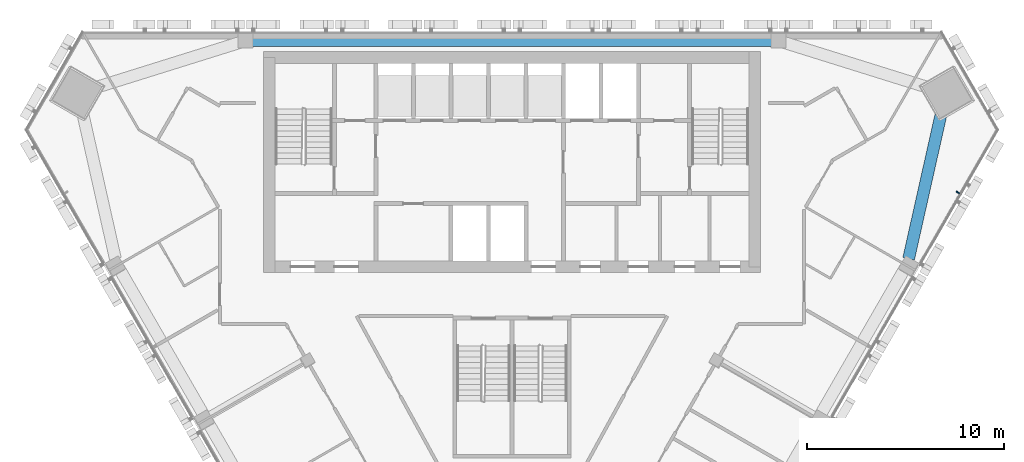
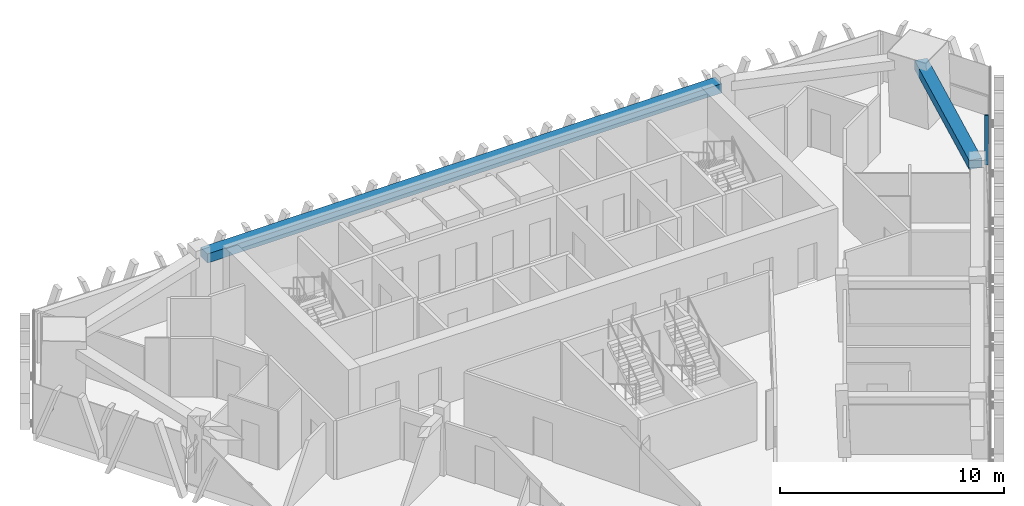
# One storey, part 6 of 14: 2 beams, 1 member, 1 element without a shape of its own.
"""IFC4 building model written with IfcOpenShell, lengths in metres."""

from ifc_helpers import new_model, si_unit, direction, frame, origin, origin_2d, place, context, subcontext, project, spatial, rectangle, extrude, material, layer, layer_set, material_profile, profile_set, type_object, element, aggregate, save


model = new_model("IFC4")

# Units and contexts
model_context = context("Model", 3, precision=1e-05, world=origin(), true_north=direction((0.0, 1.0)))
body_context = subcontext(model_context, "Body", "Model", "MODEL_VIEW")
ifc_project = project(units=[si_unit("LENGTHUNIT", "METRE"), si_unit("AREAUNIT", "SQUARE_METRE"), si_unit("VOLUMEUNIT", "CUBIC_METRE"), si_unit("PLANEANGLEUNIT", "RADIAN"), si_unit("MASSUNIT", "GRAM", prefix="KILO")], contexts=[model_context])

# Site, building, storey
site_placement = place(None, origin())
site = spatial("IfcSite", under=ifc_project, at=site_placement, CompositionType="ELEMENT")
building_placement = place(site_placement, origin())
building = spatial("IfcBuilding", under=site, at=building_placement, Name="Altiplano Prism Tower", CompositionType="ELEMENT")
storey_placement = place(building_placement, frame((0.0, 0.0, 226.60009765625)))
storey = spatial("IfcBuildingStorey", under=building, at=storey_placement, Name="L58", CompositionType="ELEMENT", Elevation=226.60009765625)

# Curtain wall, member
ifc_material_1 = material(Name="Aluminium and glass", Category="aluminium")
ifc_layer = layer(ifc_material_1, 0.280029296875)
ifc_layer_set = layer_set([ifc_layer], Name="Aluminium and glass")
curtain_wall_type = type_object("IfcCurtainWallType", Name="CW1 typical co-living unitised curtain wall", PredefinedType="NOTDEFINED", material=ifc_layer_set)
curtain_wall_placement = place(storey_placement, origin())
curtain_wall = element("IfcCurtainWall", 1, at=curtain_wall_placement, inside=storey, type_object=curtain_wall_type, Name="CW1 curtain wall south-east face L58", PredefinedType="NOTDEFINED")
ifc_material_2 = material(Name="Aluminium", Category="aluminium")
ifc_material_profile_1 = material_profile(ifc_material_2, rectangle(XDim=0.179931640625, YDim=0.06494140625, at=origin_2d()), Name="CW1 mullion 65 x 180")
ifc_profile_set_1 = profile_set([ifc_material_profile_1], Name="Aluminium")
member_type = type_object("IfcMemberType", Name="CW1 mullion 65 x 180", PredefinedType="MULLION", material=ifc_profile_set_1)
member_placement = place(storey_placement, frame((107.5869140625, 96.864990234375, 0.0), z_axis=(0.0, 0.0, 1.0), x_axis=(-0.866025401725, 0.500000003567, 0.0)))
member = element("IfcMember", 2, at=member_placement, type_object=member_type, Name="CW1 mullion", PredefinedType="MULLION", context=body_context, shape_type="SweptSolid", body=[
    extrude(rectangle(XDim=0.179931640625, YDim=0.06494140625, at=origin_2d()), origin(), (0.0, 0.0, 1.0), 2.699951171875),
])
aggregate(curtain_wall, [member])

# Beams
ifc_material_3 = material(Name="Concrete C60/75", Category="concrete")
ifc_material_profile_2 = material_profile(ifc_material_3, rectangle(XDim=0.60009765625, YDim=0.5, at=origin_2d()), Name="Edge beam 600x500")
ifc_profile_set_2 = profile_set([ifc_material_profile_2], Name="Concrete C60/75")
beam_type = type_object("IfcBeamType", Name="Edge beam 600x500", PredefinedType="SPANDREL", material=ifc_profile_set_2)
beam_1_placement = place(storey_placement, frame((105.091552734375, 93.502685546875, 2.949951171875), z_axis=(0.218907500739, 0.975745615476, 0.0), x_axis=(-0.975745615476, 0.218907500739, 0.0)))
element("IfcBeam", 3, at=beam_1_placement, inside=storey, type_object=beam_type, Name="Edge beam P24-M2 L59", PredefinedType="SPANDREL", context=body_context, shape_type="SweptSolid", body=[
    extrude(rectangle(XDim=0.60009765625, YDim=0.5, at=origin_2d()), origin(), (0.0, 0.0, 1.0), 8.156982421875),
])
beam_2_placement = place(storey_placement, frame((98.2451171875, 104.550048828125, 2.949951171875), z_axis=(-1.0, 0.0, 0.0), x_axis=(0.0, -1.0, 0.0)))
element("IfcBeam", 4, at=beam_2_placement, inside=storey, type_object=beam_type, Name="Edge beam P01-P04 L59", PredefinedType="SPANDREL", context=body_context, shape_type="SweptSolid", body=[
    extrude(rectangle(XDim=0.60009765625, YDim=0.5, at=origin_2d()), origin(), (0.0, 0.0, 1.0), 26.490234375),
])

save(model, "model.ifc")
